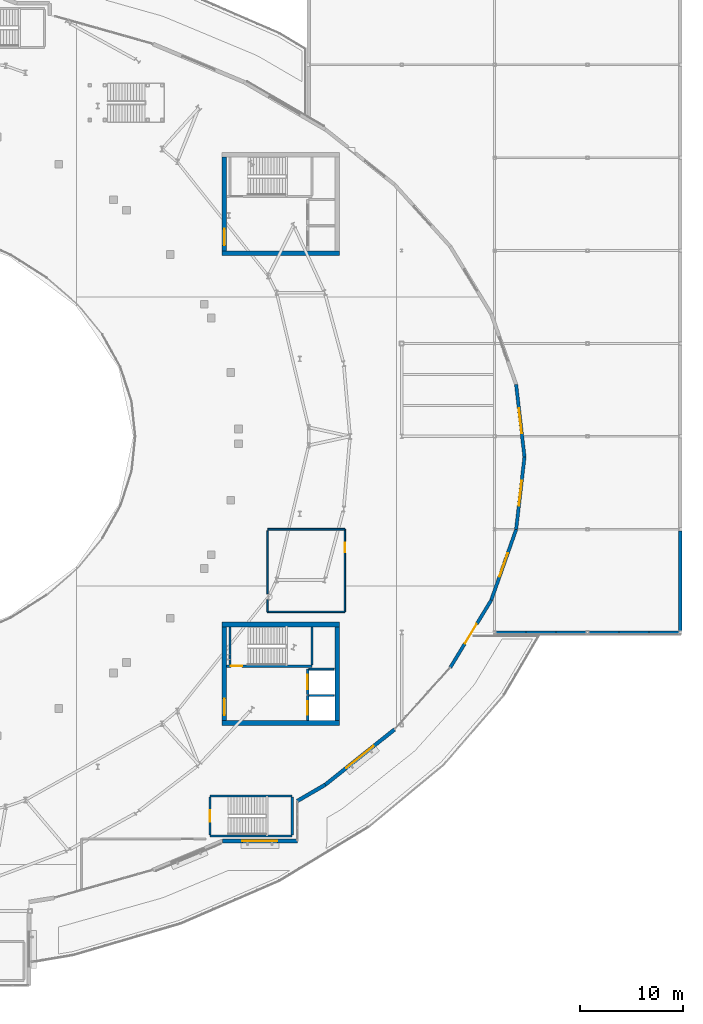
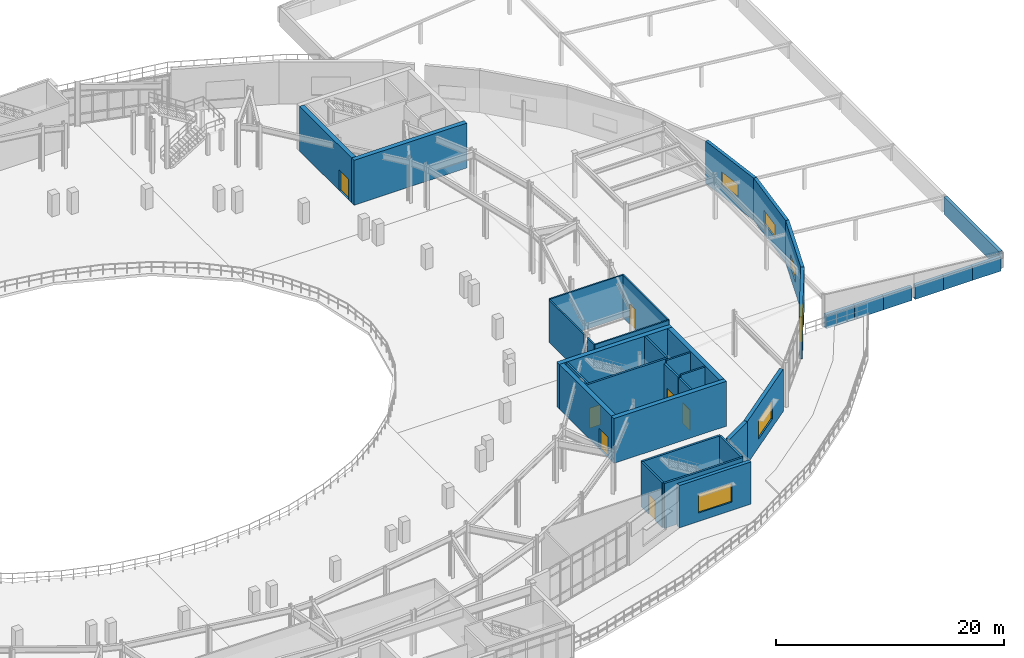
# One storey, part 63 of 84: 36 walls, 8 doors, 5 windows, 13 openings.
"""IFC4 building model written with IfcOpenShell, lengths in metres."""

from ifc_helpers import new_model, si_unit, direction, frame, frame_2d, origin, place, context, subcontext, project, spatial, rectangle, extrude, material, layer, layer_set, type_object, element, fill, save


model = new_model("IFC4")

# Units and contexts
model_context = context("Model", 3, precision=1e-05, world=origin(), true_north=direction((0.0, 1.0)))
body_context = subcontext(model_context, "Body", "Model", "MODEL_VIEW")
ifc_project = project(units=[si_unit("LENGTHUNIT", "METRE"), si_unit("AREAUNIT", "SQUARE_METRE"), si_unit("VOLUMEUNIT", "CUBIC_METRE"), si_unit("PLANEANGLEUNIT", "RADIAN"), si_unit("MASSUNIT", "GRAM", prefix="KILO")], contexts=[model_context])

# Site, building, storey
site_placement = place(None, origin())
site = spatial("IfcSite", under=ifc_project, at=site_placement, CompositionType="ELEMENT")
building_placement = place(site_placement, origin())
building = spatial("IfcBuilding", under=site, at=building_placement, Name="Glasvene Arena", CompositionType="ELEMENT")
storey_placement = place(building_placement, frame((0.0, 0.0, 10.199951171875)))
storey = spatial("IfcBuildingStorey", under=building, at=storey_placement, Name="L02", CompositionType="ELEMENT", Elevation=10.199951171875)

# Wall
ifc_material_1 = material(Name="Concrete C40/50", Category="concrete")
ifc_layer_1 = layer(ifc_material_1, 0.449951171875)
ifc_layer_set_1 = layer_set([ifc_layer_1], Name="Concrete C40/50")
wall_type_1 = type_object("IfcWallType", Name="WL-CORE-450", PredefinedType="SHEAR", material=ifc_layer_set_1)
wall_1_placement = place(storey_placement, frame((129.60009765625, 90.72509765625, 0.0), z_axis=(0.0, 0.0, 1.0), x_axis=(1.0, 0.0, 0.0)))
element("IfcWall", 1, at=wall_1_placement, inside=storey, type_object=wall_type_1, Name="Core C2 North-East shear wall S L02", PredefinedType="SHEAR", context=body_context, shape_type="SweptSolid", body=[
    extrude(rectangle(XDim=11.39990234375, YDim=0.449951171875, at=frame_2d((5.699951171875, 0.0))), origin(), (0.0, 0.0, 1.0), 4.800048828125),
])

# Wall, opening, door
wall_2_placement = place(storey_placement, frame((129.824951171875, 90.949951171875, 0.0), z_axis=(0.0, 0.0, 1.0), x_axis=(0.0, 1.0, 0.0)))
wall_2 = element("IfcWall", 2, at=wall_2_placement, inside=storey, type_object=wall_type_1, Name="Core C2 North-East shear wall W L02", PredefinedType="SHEAR", context=body_context, shape_type="SweptSolid", body=[
    extrude(rectangle(XDim=9.10009765625, YDim=0.449951171875, at=frame_2d((4.550048828125, 0.0))), origin(), (0.0, 0.0, 1.0), 4.800048828125),
])
opening_1_placement = place(wall_2_placement, frame((0.550048828125, 0.0, 0.0)))
opening_1 = element("IfcOpeningElement", 3, at=opening_1_placement, cuts=wall_2, Name="Opening D-02", PredefinedType="OPENING", context=body_context, shape_type="SweptSolid", body=[
    extrude(rectangle(XDim=1.60009765625, YDim=2.199951171875, at=frame_2d((0.800048828125, 1.10009765625))), frame((0.0, 0.23486328125, 0.0), z_axis=(0.0, -1.0, 0.0), x_axis=(1.0, 0.0, 0.0)), (0.0, 0.0, 1.0), 0.469970703125),
])
ifc_material_2 = material(Name="Painted fire-resisting steel", Category="steel")
door_type_1 = type_object("IfcDoorType", Name="DR-FD60-1600", OperationType="DOUBLE_DOOR_SINGLE_SWING", PredefinedType="DOOR", material=ifc_material_2)
door_1_placement = place(opening_1_placement, frame((1.60009765625, 0.0, 0.0), z_axis=(0.0, 0.0, 1.0), x_axis=(-1.0, 0.0, 0.0)))
door_1 = element("IfcDoor", 4, at=door_1_placement, inside=storey, type_object=door_type_1, Name="Core firefighting lobby concourse door C2-L02", OperationType="DOUBLE_DOOR_SINGLE_SWING", OverallHeight=2.199951171875, OverallWidth=1.60009765625, PredefinedType="DOOR", context=body_context, shape_type="SweptSolid", body=[
    extrude(rectangle(XDim=1.60009765625, YDim=2.199951171875, at=frame_2d((0.800048828125, 1.10009765625))), frame((0.0, 0.02490234375, 0.0), z_axis=(0.0, -1.0, 0.0), x_axis=(1.0, 0.0, 0.0)), (0.0, 0.0, 1.0), 0.050048828125),
])
fill(opening_1, door_1)

# Walls
for number, where, z_axis, x_axis, name in (
    (5, (129.60009765625, 45.22509765625, 0.0), (0.0, 0.0, 1.0), (1.0, 0.0, 0.0), "Core C4 South-East shear wall S L02"),
    (6, (129.60009765625, 54.77490234375, 0.0), (0.0, 0.0, 1.0), (1.0, 0.0, 0.0), "Core C4 South-East shear wall N L02"),
):
    element("IfcWall", number, at=place(storey_placement, frame(where, z_axis=z_axis, x_axis=x_axis)), inside=storey, type_object=wall_type_1, Name=name, PredefinedType="SHEAR", context=body_context, shape_type="SweptSolid", body=[
        extrude(rectangle(XDim=11.39990234375, YDim=0.449951171875, at=frame_2d((5.699951171875, 0.0))), origin(), (0.0, 0.0, 1.0), 4.800048828125),
    ])

# Wall, opening, door
wall_3_placement = place(storey_placement, frame((129.824951171875, 45.449951171875, 0.0), z_axis=(0.0, 0.0, 1.0), x_axis=(0.0, 1.0, 0.0)))
wall_3 = element("IfcWall", 7, at=wall_3_placement, inside=storey, type_object=wall_type_1, Name="Core C4 South-East shear wall W L02", PredefinedType="SHEAR", context=body_context, shape_type="SweptSolid", body=[
    extrude(rectangle(XDim=9.10009765625, YDim=0.449951171875, at=frame_2d((4.550048828125, 0.0))), origin(), (0.0, 0.0, 1.0), 4.800048828125),
])
opening_2_placement = place(wall_3_placement, frame((0.550048828125, 0.0, 0.0)))
opening_2 = element("IfcOpeningElement", 8, at=opening_2_placement, cuts=wall_3, Name="Opening D-02", PredefinedType="OPENING", context=body_context, shape_type="SweptSolid", body=[
    extrude(rectangle(XDim=1.60009765625, YDim=2.199951171875, at=frame_2d((0.800048828125, 1.10009765625))), frame((0.0, 0.23486328125, 0.0), z_axis=(0.0, -1.0, 0.0), x_axis=(1.0, 0.0, 0.0)), (0.0, 0.0, 1.0), 0.469970703125),
])
door_2_placement = place(opening_2_placement, frame((1.60009765625, 0.0, 0.0), z_axis=(0.0, 0.0, 1.0), x_axis=(-1.0, 0.0, 0.0)))
door_2 = element("IfcDoor", 9, at=door_2_placement, inside=storey, type_object=door_type_1, Name="Core firefighting lobby concourse door C4-L02", OperationType="DOUBLE_DOOR_SINGLE_SWING", OverallHeight=2.199951171875, OverallWidth=1.60009765625, PredefinedType="DOOR", context=body_context, shape_type="SweptSolid", body=[
    extrude(rectangle(XDim=1.60009765625, YDim=2.199951171875, at=frame_2d((0.800048828125, 1.10009765625))), frame((0.0, 0.02490234375, 0.0), z_axis=(0.0, -1.0, 0.0), x_axis=(1.0, 0.0, 0.0)), (0.0, 0.0, 1.0), 0.050048828125),
])
fill(opening_2, door_2)

# Wall
wall_4_placement = place(storey_placement, frame((140.77490234375, 45.449951171875, 0.0), z_axis=(0.0, 0.0, 1.0), x_axis=(0.0, 1.0, 0.0)))
element("IfcWall", 10, at=wall_4_placement, inside=storey, type_object=wall_type_1, Name="Core C4 South-East shear wall E L02", PredefinedType="SHEAR", context=body_context, shape_type="SweptSolid", body=[
    extrude(rectangle(XDim=9.10009765625, YDim=0.449951171875, at=frame_2d((4.550048828125, 0.0))), origin(), (0.0, 0.0, 1.0), 4.800048828125),
])

# Wall, opening, window
ifc_material_3 = material(Name="Coursed pale Irish limestone", Category="masonry")
ifc_layer_2 = layer(ifc_material_3, 0.360107421875)
ifc_layer_set_2 = layer_set([ifc_layer_2], Name="Coursed pale Irish limestone")
wall_type_2 = type_object("IfcWallType", Name="WL-EXT-LIM-360", PredefinedType="STANDARD", material=ifc_layer_set_2)
wall_5_placement = place(storey_placement, frame((146.314208984375, 44.6083984375, 0.0), z_axis=(0.0, 0.0, 1.0), x_axis=(-0.781733088889, -0.623613163537, 0.0)))
wall_5 = element("IfcWall", 11, at=wall_5_placement, inside=storey, type_object=wall_type_2, Name="External facade wall EW-L02-0150", PredefinedType="STANDARD", context=body_context, shape_type="SweptSolid", body=[
    extrude(rectangle(XDim=8.5908203125, YDim=0.360107421875, at=frame_2d((4.29541015625, 0.0))), origin(), (0.0, 0.0, 1.0), 4.52001953125),
])
opening_3_placement = place(wall_5_placement, frame((2.595947265625, 0.0, 0.89990234375)))
opening_3 = element("IfcOpeningElement", 12, at=opening_3_placement, cuts=wall_5, Name="Opening W-06", PredefinedType="OPENING", context=body_context, shape_type="SweptSolid", body=[
    extrude(rectangle(XDim=3.39990234375, YDim=2.0, at=frame_2d((1.699951171875, 1.0))), frame((0.0, 0.18994140625, 0.0), z_axis=(0.0, -1.0, 0.0), x_axis=(1.0, 0.0, 0.0)), (0.0, 0.0, 1.0), 0.380126953125),
])
ifc_material_4 = material(Name="Low-emissivity laminated double glazing", Category="glass")
window_type_1 = type_object("IfcWindowType", Name="WN-CLUB-340x200", PartitioningType="TRIPLE_PANEL_VERTICAL", PredefinedType="WINDOW", material=ifc_material_4)
window_1_placement = place(opening_3_placement, origin())
window_1 = element("IfcWindow", 13, at=window_1_placement, inside=storey, type_object=window_type_1, Name="Facade window WN-CLUB-340x200 L02-0089", OverallHeight=2.0, OverallWidth=3.39990234375, PartitioningType="SINGLE_PANEL", PredefinedType="WINDOW", context=body_context, shape_type="SweptSolid", body=[
    extrude(rectangle(XDim=3.39990234375, YDim=2.0, at=frame_2d((1.699951171875, 1.0))), frame((0.0, 0.030029296875, 0.0), z_axis=(0.0, -1.0, 0.0), x_axis=(1.0, 0.0, 0.0)), (0.0, 0.0, 1.0), 0.06005859375),
])
fill(opening_3, window_1)

# Wall
wall_6_placement = place(storey_placement, frame((139.598388671875, 39.2509765625, 0.0), z_axis=(0.0, 0.0, 1.0), x_axis=(-0.86430878281, -0.502961557137, 0.0)))
element("IfcWall", 14, at=wall_6_placement, inside=storey, type_object=wall_type_2, Name="External facade wall EW-L02-0151", PredefinedType="STANDARD", context=body_context, shape_type="SweptSolid", body=[
    extrude(rectangle(XDim=3.1220703125, YDim=0.360107421875, at=frame_2d((1.56103515625, 0.0))), origin(), (0.0, 0.0, 1.0), 4.52001953125),
])

# Wall, opening, window
wall_7_placement = place(storey_placement, frame((136.89990234375, 33.800048828125, 0.0), z_axis=(0.0, 0.0, 1.0), x_axis=(-1.0, 0.0, 0.0)))
wall_7 = element("IfcWall", 15, at=wall_7_placement, inside=storey, type_object=wall_type_2, Name="External facade wall EW-L02-0152", PredefinedType="STANDARD", context=body_context, shape_type="SweptSolid", body=[
    extrude(rectangle(XDim=7.2607421875, YDim=0.360107421875, at=frame_2d((3.63037109375, 0.0))), origin(), (0.0, 0.0, 1.0), 4.52001953125),
])
opening_4_placement = place(wall_7_placement, frame((1.929931640625, 0.0, 0.89990234375)))
opening_4 = element("IfcOpeningElement", 16, at=opening_4_placement, cuts=wall_7, Name="Opening W-06", PredefinedType="OPENING", context=body_context, shape_type="SweptSolid", body=[
    extrude(rectangle(XDim=3.39990234375, YDim=2.0, at=frame_2d((1.699951171875, 1.0))), frame((0.0, 0.18994140625, 0.0), z_axis=(0.0, -1.0, 0.0), x_axis=(1.0, 0.0, 0.0)), (0.0, 0.0, 1.0), 0.380126953125),
])
window_2_placement = place(opening_4_placement, origin())
window_2 = element("IfcWindow", 17, at=window_2_placement, inside=storey, type_object=window_type_1, Name="Facade window WN-CLUB-340x200 L02-0090", OverallHeight=2.0, OverallWidth=3.39990234375, PartitioningType="SINGLE_PANEL", PredefinedType="WINDOW", context=body_context, shape_type="SweptSolid", body=[
    extrude(rectangle(XDim=3.39990234375, YDim=2.0, at=frame_2d((1.699951171875, 1.0))), frame((0.0, 0.030029296875, 0.0), z_axis=(0.0, -1.0, 0.0), x_axis=(1.0, 0.0, 0.0)), (0.0, 0.0, 1.0), 0.06005859375),
])
fill(opening_4, window_2)

ifc_material_5 = material(Name="Precast concrete C50/60", Category="concrete")
ifc_layer_3 = layer(ifc_material_5, 0.320068359375)
ifc_layer_set_3 = layer_set([ifc_layer_3], Name="Precast concrete C50/60")
wall_type_3 = type_object("IfcWallType", Name="WL-EXT-PRC-320", PredefinedType="STANDARD", material=ifc_layer_set_3)
wall_8_placement = place(storey_placement, frame((158.088623046875, 78.02392578125, 0.0), z_axis=(0.0, 0.0, 1.0), x_axis=(0.114739438683, -0.993395621699, 0.0)))
wall_8 = element("IfcWall", 18, at=wall_8_placement, inside=storey, type_object=wall_type_3, Name="External facade wall EW-L02-0146", PredefinedType="STANDARD", context=body_context, shape_type="SweptSolid", body=[
    extrude(rectangle(XDim=7.070556640625, YDim=0.320068359375, at=frame_2d((3.53515625, 0.0))), origin(), (0.0, 0.0, 1.0), 4.52001953125),
])
opening_5_placement = place(wall_8_placement, frame((2.3349609375, 0.0, 1.14990234375)))
opening_5 = element("IfcOpeningElement", 19, at=opening_5_placement, cuts=wall_8, Name="Opening W-18", PredefinedType="OPENING", context=body_context, shape_type="SweptSolid", body=[
    extrude(rectangle(XDim=2.39990234375, YDim=1.39990234375, at=frame_2d((1.199951171875, 0.699951171875))), frame((0.0, 0.169921875, 0.0), z_axis=(0.0, -1.0, 0.0), x_axis=(1.0, 0.0, 0.0)), (0.0, 0.0, 1.0), 0.340087890625),
])
window_type_2 = type_object("IfcWindowType", Name="WN-LOUV-240x140", PartitioningType="DOUBLE_PANEL_HORIZONTAL", PredefinedType="WINDOW", material=ifc_material_4)
window_3_placement = place(opening_5_placement, origin())
window_3 = element("IfcWindow", 20, at=window_3_placement, inside=storey, type_object=window_type_2, Name="Facade window WN-LOUV-240x140 L02-0086", OverallHeight=1.39990234375, OverallWidth=2.39990234375, PartitioningType="SINGLE_PANEL", PredefinedType="WINDOW", context=body_context, shape_type="SweptSolid", body=[
    extrude(rectangle(XDim=2.39990234375, YDim=1.39990234375, at=frame_2d((1.199951171875, 0.699951171875))), frame((0.0, 0.030029296875, 0.0), z_axis=(0.0, -1.0, 0.0), x_axis=(1.0, 0.0, 0.0)), (0.0, 0.0, 1.0), 0.06005859375),
])
fill(opening_5, window_3)

wall_9_placement = place(storey_placement, frame((158.89990234375, 71.0, 0.0), z_axis=(0.0, 0.0, 1.0), x_axis=(-0.114739438683, -0.993395621699, 0.0)))
wall_9 = element("IfcWall", 21, at=wall_9_placement, inside=storey, type_object=wall_type_3, Name="External facade wall EW-L02-0147", PredefinedType="STANDARD", context=body_context, shape_type="SweptSolid", body=[
    extrude(rectangle(XDim=7.070556640625, YDim=0.320068359375, at=frame_2d((3.53515625, 0.0))), origin(), (0.0, 0.0, 1.0), 4.52001953125),
])
opening_6_placement = place(wall_9_placement, frame((2.3349609375, 0.0, 1.14990234375)))
opening_6 = element("IfcOpeningElement", 22, at=opening_6_placement, cuts=wall_9, Name="Opening W-18", PredefinedType="OPENING", context=body_context, shape_type="SweptSolid", body=[
    extrude(rectangle(XDim=2.39990234375, YDim=1.39990234375, at=frame_2d((1.199951171875, 0.699951171875))), frame((0.0, 0.169921875, 0.0), z_axis=(0.0, -1.0, 0.0), x_axis=(1.0, 0.0, 0.0)), (0.0, 0.0, 1.0), 0.340087890625),
])
window_4_placement = place(opening_6_placement, origin())
window_4 = element("IfcWindow", 23, at=window_4_placement, inside=storey, type_object=window_type_2, Name="Facade window WN-LOUV-240x140 L02-0087", OverallHeight=1.39990234375, OverallWidth=2.39990234375, PartitioningType="SINGLE_PANEL", PredefinedType="WINDOW", context=body_context, shape_type="SweptSolid", body=[
    extrude(rectangle(XDim=2.39990234375, YDim=1.39990234375, at=frame_2d((1.199951171875, 0.699951171875))), frame((0.0, 0.030029296875, 0.0), z_axis=(0.0, -1.0, 0.0), x_axis=(1.0, 0.0, 0.0)), (0.0, 0.0, 1.0), 0.06005859375),
])
fill(opening_6, window_4)

wall_10_placement = place(storey_placement, frame((158.088623046875, 63.97607421875, 0.0), z_axis=(0.0, 0.0, 1.0), x_axis=(-0.332334849902, -0.943161464194, 0.0)))
wall_10 = element("IfcWall", 24, at=wall_10_placement, inside=storey, type_object=wall_type_3, Name="External facade wall EW-L02-0148", PredefinedType="STANDARD", context=body_context, shape_type="SweptSolid", body=[
    extrude(rectangle(XDim=7.263916015625, YDim=0.320068359375, at=frame_2d((3.6318359375, 0.0))), origin(), (0.0, 0.0, 1.0), 4.52001953125),
])
opening_7_placement = place(wall_10_placement, frame((2.431884765625, 0.0, 1.14990234375)))
opening_7 = element("IfcOpeningElement", 25, at=opening_7_placement, cuts=wall_10, Name="Opening W-18", PredefinedType="OPENING", context=body_context, shape_type="SweptSolid", body=[
    extrude(rectangle(XDim=2.39990234375, YDim=1.39990234375, at=frame_2d((1.199951171875, 0.699951171875))), frame((0.0, 0.169921875, 0.0), z_axis=(0.0, -1.0, 0.0), x_axis=(1.0, 0.0, 0.0)), (0.0, 0.0, 1.0), 0.340087890625),
])
window_5_placement = place(opening_7_placement, origin())
window_5 = element("IfcWindow", 26, at=window_5_placement, inside=storey, type_object=window_type_2, Name="Facade window WN-LOUV-240x140 L02-0088", OverallHeight=1.39990234375, OverallWidth=2.39990234375, PartitioningType="SINGLE_PANEL", PredefinedType="WINDOW", context=body_context, shape_type="SweptSolid", body=[
    extrude(rectangle(XDim=2.39990234375, YDim=1.39990234375, at=frame_2d((1.199951171875, 0.699951171875))), frame((0.0, 0.030029296875, 0.0), z_axis=(0.0, -1.0, 0.0), x_axis=(1.0, 0.0, 0.0)), (0.0, 0.0, 1.0), 0.06005859375),
])
fill(opening_7, window_5)

# Wall, opening, door
wall_11_placement = place(storey_placement, frame((155.674560546875, 57.125, 0.0), z_axis=(0.0, 0.0, 1.0), x_axis=(-0.519478161204, -0.85448372719, 0.0)))
wall_11 = element("IfcWall", 27, at=wall_11_placement, inside=storey, type_object=wall_type_3, Name="External facade wall EW-L02-0149", PredefinedType="STANDARD", context=body_context, shape_type="SweptSolid", body=[
    extrude(rectangle(XDim=7.61767578125, YDim=0.320068359375, at=frame_2d((3.808837890625, 0.0))), origin(), (0.0, 0.0, 1.0), 4.52001953125),
])
opening_8_placement = place(wall_11_placement, frame((2.708984375, 0.0, 0.0)))
opening_8 = element("IfcOpeningElement", 28, at=opening_8_placement, cuts=wall_11, Name="Opening TD-220", PredefinedType="OPENING", context=body_context, shape_type="SweptSolid", body=[
    extrude(rectangle(XDim=2.199951171875, YDim=2.39990234375, at=frame_2d((1.10009765625, 1.199951171875))), frame((0.0, 0.169921875, 0.0), z_axis=(0.0, -1.0, 0.0), x_axis=(1.0, 0.0, 0.0)), (0.0, 0.0, 1.0), 0.340087890625),
])
ifc_material_6 = material(Name="Anodised architectural aluminium", Category="aluminium")
door_type_2 = type_object("IfcDoorType", Name="DR-TERR-2200", OperationType="DOUBLE_DOOR_SINGLE_SWING", PredefinedType="DOOR", material=ifc_material_6)
door_3_placement = place(opening_8_placement, origin())
door_3 = element("IfcDoor", 29, at=door_3_placement, inside=storey, type_object=door_type_2, Name="Terrace lounge glazed exit door TD-L02-02", OperationType="DOUBLE_DOOR_SINGLE_SWING", OverallHeight=2.39990234375, OverallWidth=2.199951171875, PredefinedType="DOOR", context=body_context, shape_type="SweptSolid", body=[
    extrude(rectangle(XDim=2.199951171875, YDim=2.39990234375, at=frame_2d((1.10009765625, 1.199951171875))), frame((0.0, 0.02490234375, 0.0), z_axis=(0.0, -1.0, 0.0), x_axis=(1.0, 0.0, 0.0)), (0.0, 0.0, 1.0), 0.050048828125),
])
fill(opening_8, door_3)

# Walls
wall_12_placement = place(storey_placement, frame((174.0, 54.155029296875, -0.280029296875), z_axis=(0.0, 0.0, 1.0), x_axis=(0.0, 1.0, 0.0)))
element("IfcWall", 30, at=wall_12_placement, inside=storey, type_object=wall_type_3, Name="Wing eave spandrel wall EW-WNG-V5-003", PredefinedType="STANDARD", context=body_context, shape_type="SweptSolid", body=[
    extrude(rectangle(XDim=9.68994140625, YDim=0.320068359375, at=frame_2d((4.844970703125, 0.0))), origin(), (0.0, 0.0, 1.0), 1.864990234375),
])
wall_13_placement = place(storey_placement, frame((156.155029296875, 54.0, -0.280029296875), z_axis=(0.0, 0.0, 1.0), x_axis=(1.0, 0.0, 0.0)))
element("IfcWall", 31, at=wall_13_placement, inside=storey, type_object=wall_type_3, Name="Wing gable infill wall EW-WNG-V5-010", PredefinedType="STANDARD", context=body_context, shape_type="SweptSolid", body=[
    extrude(rectangle(XDim=2.896728515625, YDim=0.320068359375, at=frame_2d((1.4482421875, 0.0))), origin(), (0.0, 0.0, 1.0), 1.489990234375),
])
wall_14_placement = place(storey_placement, frame((159.0517578125, 54.0, -0.280029296875), z_axis=(0.0, 0.0, 1.0), x_axis=(1.0, 0.0, 0.0)))
element("IfcWall", 32, at=wall_14_placement, inside=storey, type_object=wall_type_3, Name="Wing gable infill wall EW-WNG-V5-011", PredefinedType="STANDARD", context=body_context, shape_type="SweptSolid", body=[
    extrude(rectangle(XDim=2.896484375, YDim=0.320068359375, at=frame_2d((1.4482421875, 0.0))), origin(), (0.0, 0.0, 1.0), 1.489990234375),
])
for number, where, z_axis, x_axis, name in (
    (33, (161.9482421875, 54.0, -0.280029296875), (0.0, 0.0, 1.0), (1.0, 0.0, 0.0), "Wing gable infill wall EW-WNG-V5-012"),
    (34, (165.155029296875, 54.0, -0.280029296875), (0.0, 0.0, 1.0), (1.0, 0.0, 0.0), "Wing gable infill wall EW-WNG-V5-013"),
):
    element("IfcWall", number, at=place(storey_placement, frame(where, z_axis=z_axis, x_axis=x_axis)), inside=storey, type_object=wall_type_3, Name=name, PredefinedType="STANDARD", context=body_context, shape_type="SweptSolid", body=[
        extrude(rectangle(XDim=2.896728515625, YDim=0.320068359375, at=frame_2d((1.4482421875, 0.0))), origin(), (0.0, 0.0, 1.0), 1.489990234375),
    ])
wall_15_placement = place(storey_placement, frame((168.0517578125, 54.0, -0.280029296875), z_axis=(0.0, 0.0, 1.0), x_axis=(1.0, 0.0, 0.0)))
element("IfcWall", 35, at=wall_15_placement, inside=storey, type_object=wall_type_3, Name="Wing gable infill wall EW-WNG-V5-014", PredefinedType="STANDARD", context=body_context, shape_type="SweptSolid", body=[
    extrude(rectangle(XDim=2.896484375, YDim=0.320068359375, at=frame_2d((1.4482421875, 0.0))), origin(), (0.0, 0.0, 1.0), 1.489990234375),
])
wall_16_placement = place(storey_placement, frame((170.9482421875, 54.0, -0.280029296875), z_axis=(0.0, 0.0, 1.0), x_axis=(1.0, 0.0, 0.0)))
element("IfcWall", 36, at=wall_16_placement, inside=storey, type_object=wall_type_3, Name="Wing gable infill wall EW-WNG-V5-015", PredefinedType="STANDARD", context=body_context, shape_type="SweptSolid", body=[
    extrude(rectangle(XDim=2.896728515625, YDim=0.320068359375, at=frame_2d((1.4482421875, 0.0))), origin(), (0.0, 0.0, 1.0), 1.489990234375),
])
ifc_material_7 = material(Name="Insulated acoustic metal-stud partition")
ifc_layer_4 = layer(ifc_material_7, 0.14990234375)
ifc_layer_set_4 = layer_set([ifc_layer_4], Name="Insulated acoustic metal-stud partition")
wall_type_4 = type_object("IfcWallType", Name="WL-PART-150", PredefinedType="PARTITIONING", material=ifc_layer_set_4)
wall_17_placement = place(storey_placement, frame((134.044921875, 64.0, 0.0), z_axis=(0.0, 0.0, 1.0), x_axis=(1.0, 0.0, 0.0)))
element("IfcWall", 37, at=wall_17_placement, inside=storey, type_object=wall_type_4, Name="Interior partition wall IW-L02-0210 (Prairie Club Lounge East)", PredefinedType="PARTITIONING", context=body_context, shape_type="SweptSolid", body=[
    extrude(rectangle(XDim=7.455078125, YDim=0.14990234375, at=frame_2d((3.7275390625, 0.0))), origin(), (0.0, 0.0, 1.0), 4.52001953125),
])

# Wall, opening, door
wall_18_placement = place(storey_placement, frame((141.5, 64.0, 0.0), z_axis=(0.0, 0.0, 1.0), x_axis=(0.0, -1.0, 0.0)))
wall_18 = element("IfcWall", 38, at=wall_18_placement, inside=storey, type_object=wall_type_4, Name="Interior partition wall IW-L02-0211 (Prairie Club Lounge East)", PredefinedType="PARTITIONING", context=body_context, shape_type="SweptSolid", body=[
    extrude(rectangle(XDim=8.0, YDim=0.14990234375, at=frame_2d((4.0, 0.0))), origin(), (0.0, 0.0, 1.0), 4.52001953125),
])
opening_9_placement = place(wall_18_placement, frame((1.2900390625, 0.0, 0.0)))
opening_9 = element("IfcOpeningElement", 39, at=opening_9_placement, cuts=wall_18, Name="Opening D-12", PredefinedType="OPENING", context=body_context, shape_type="SweptSolid", body=[
    extrude(rectangle(XDim=0.919921875, YDim=2.14990234375, at=frame_2d((0.4599609375, 1.074951171875))), frame((0.0, 0.0849609375, 0.0), z_axis=(0.0, -1.0, 0.0), x_axis=(1.0, 0.0, 0.0)), (0.0, 0.0, 1.0), 0.169921875),
])
ifc_material_8 = material(Name="European oak acoustic timber", Category="wood")
door_type_3 = type_object("IfcDoorType", Name="DR-SUITE-920", OperationType="NOTDEFINED", PredefinedType="DOOR", material=ifc_material_8)
door_4_placement = place(opening_9_placement, origin())
door_4 = element("IfcDoor", 40, at=door_4_placement, inside=storey, type_object=door_type_3, Name="Interior door DR-SUITE-920 (Prairie Club Lounge East)", OperationType="SINGLE_SWING_LEFT", OverallHeight=2.14990234375, OverallWidth=0.919921875, PredefinedType="DOOR", context=body_context, shape_type="SweptSolid", body=[
    extrude(rectangle(XDim=0.919921875, YDim=2.14990234375, at=frame_2d((0.4599609375, 1.074951171875))), frame((0.0, 0.02490234375, 0.0), z_axis=(0.0, -1.0, 0.0), x_axis=(1.0, 0.0, 0.0)), (0.0, 0.0, 1.0), 0.050048828125),
])
fill(opening_9, door_4)

# Walls
wall_19_placement = place(storey_placement, frame((141.5, 56.0, 0.0), z_axis=(0.0, 0.0, 1.0), x_axis=(-1.0, 0.0, 0.0)))
element("IfcWall", 41, at=wall_19_placement, inside=storey, type_object=wall_type_4, Name="Interior partition wall IW-L02-0212 (Prairie Club Lounge East)", PredefinedType="PARTITIONING", context=body_context, shape_type="SweptSolid", body=[
    extrude(rectangle(XDim=7.5, YDim=0.14990234375, at=frame_2d((3.75, 0.0))), origin(), (0.0, 0.0, 1.0), 4.52001953125),
])
wall_20_placement = place(storey_placement, frame((134.0, 56.0, 0.0), z_axis=(0.0, 0.0, 1.0), x_axis=(0.0, 1.0, 0.0)))
element("IfcWall", 42, at=wall_20_placement, inside=storey, type_object=wall_type_4, Name="Interior partition wall IW-L02-0213 (Prairie Club Lounge East)", PredefinedType="PARTITIONING", context=body_context, shape_type="SweptSolid", body=[
    extrude(rectangle(XDim=1.197021484375, YDim=0.14990234375, at=frame_2d((0.5986328125, 0.0))), origin(), (0.0, 0.0, 1.0), 4.52001953125),
])
wall_21_placement = place(storey_placement, frame((134.0, 57.72998046875, 0.0), z_axis=(0.0, 0.0, 1.0), x_axis=(0.0, 1.0, 0.0)))
element("IfcWall", 43, at=wall_21_placement, inside=storey, type_object=wall_type_4, Name="Interior partition wall IW-L02-0214 (Prairie Club Lounge East)", PredefinedType="PARTITIONING", context=body_context, shape_type="SweptSolid", body=[
    extrude(rectangle(XDim=6.11865234375, YDim=0.14990234375, at=frame_2d((3.059326171875, 0.0))), origin(), (0.0, 0.0, 1.0), 4.52001953125),
])

# Wall, opening, door
ifc_layer_5 = layer(ifc_material_1, 0.199951171875)
ifc_layer_set_5 = layer_set([ifc_layer_5], Name="Concrete C40/50")
wall_type_5 = type_object("IfcWallType", Name="WL-SHAFT-200", PredefinedType="SHEAR", material=ifc_layer_set_5)
wall_22_placement = place(storey_placement, frame((137.89990234375, 45.449951171875, 0.0), z_axis=(0.0, 0.0, 1.0), x_axis=(0.0, 1.0, 0.0)))
wall_22 = element("IfcWall", 44, at=wall_22_placement, inside=storey, type_object=wall_type_5, Name="Lift shaft front wall FFL-04 L02", PredefinedType="SHEAR", context=body_context, shape_type="SweptSolid", body=[
    extrude(rectangle(XDim=2.449951171875, YDim=0.199951171875, at=frame_2d((1.22509765625, 0.0))), origin(), (0.0, 0.0, 1.0), 4.52001953125),
])
opening_10_placement = place(wall_22_placement, frame((0.574951171875, 0.0, 0.0)))
opening_10 = element("IfcOpeningElement", 45, at=opening_10_placement, cuts=wall_22, Name="Opening LD-FF", PredefinedType="OPENING", context=body_context, shape_type="SweptSolid", body=[
    extrude(rectangle(XDim=1.300048828125, YDim=2.199951171875, at=frame_2d((0.64990234375, 1.10009765625))), frame((0.0, 0.10986328125, 0.0), z_axis=(0.0, -1.0, 0.0), x_axis=(1.0, 0.0, 0.0)), (0.0, 0.0, 1.0), 0.219970703125),
])
ifc_material_9 = material(Name="Brushed stainless steel", Category="steel")
door_type_4 = type_object("IfcDoorType", Name="LD-FFL-1300", OperationType="DOUBLE_DOOR_SLIDING", PredefinedType="DOOR", material=ifc_material_9)
door_5_placement = place(opening_10_placement, origin())
door_5 = element("IfcDoor", 46, at=door_5_placement, inside=storey, type_object=door_type_4, Name="Lift sliding landing door LD-FFL-04-L02", OperationType="DOUBLE_DOOR_SLIDING", OverallHeight=2.199951171875, OverallWidth=1.300048828125, PredefinedType="DOOR", context=body_context, shape_type="SweptSolid", body=[
    extrude(rectangle(XDim=1.300048828125, YDim=2.199951171875, at=frame_2d((0.64990234375, 1.10009765625))), frame((0.0, 0.02490234375, 0.0), z_axis=(0.0, -1.0, 0.0), x_axis=(1.0, 0.0, 0.0)), (0.0, 0.0, 1.0), 0.050048828125),
])
fill(opening_10, door_5)

wall_23_placement = place(storey_placement, frame((137.89990234375, 48.0, 0.0), z_axis=(0.0, 0.0, 1.0), x_axis=(0.0, 1.0, 0.0)))
wall_23 = element("IfcWall", 47, at=wall_23_placement, inside=storey, type_object=wall_type_5, Name="Lift shaft front wall PL-04 L02", PredefinedType="SHEAR", context=body_context, shape_type="SweptSolid", body=[
    extrude(rectangle(XDim=2.449951171875, YDim=0.199951171875, at=frame_2d((1.22509765625, 0.0))), origin(), (0.0, 0.0, 1.0), 4.52001953125),
])
opening_11_placement = place(wall_23_placement, frame((0.52490234375, 0.0, 0.0)))
opening_11 = element("IfcOpeningElement", 48, at=opening_11_placement, cuts=wall_23, Name="Opening LD-PL", PredefinedType="OPENING", context=body_context, shape_type="SweptSolid", body=[
    extrude(rectangle(XDim=1.39990234375, YDim=2.199951171875, at=frame_2d((0.699951171875, 1.10009765625))), frame((0.0, 0.10986328125, 0.0), z_axis=(0.0, -1.0, 0.0), x_axis=(1.0, 0.0, 0.0)), (0.0, 0.0, 1.0), 0.219970703125),
])
door_type_5 = type_object("IfcDoorType", Name="LD-PL-1400", OperationType="DOUBLE_DOOR_SLIDING", PredefinedType="DOOR", material=ifc_material_9)
door_6_placement = place(opening_11_placement, origin())
door_6 = element("IfcDoor", 49, at=door_6_placement, inside=storey, type_object=door_type_5, Name="Lift sliding landing door LD-PL-04-L02", OperationType="DOUBLE_DOOR_SLIDING", OverallHeight=2.199951171875, OverallWidth=1.39990234375, PredefinedType="DOOR", context=body_context, shape_type="SweptSolid", body=[
    extrude(rectangle(XDim=1.39990234375, YDim=2.199951171875, at=frame_2d((0.699951171875, 1.10009765625))), frame((0.0, 0.02490234375, 0.0), z_axis=(0.0, -1.0, 0.0), x_axis=(1.0, 0.0, 0.0)), (0.0, 0.0, 1.0), 0.050048828125),
])
fill(opening_11, door_6)

wall_24_placement = place(storey_placement, frame((130.052001953125, 50.72998046875, 0.0), z_axis=(0.0, 0.0, 1.0), x_axis=(1.0, 0.0, 0.0)))
wall_24 = element("IfcWall", 50, at=wall_24_placement, inside=storey, type_object=wall_type_5, Name="Escape stair shaft wall ST-04 L02 S", PredefinedType="SHEAR", context=body_context, shape_type="SweptSolid", body=[
    extrude(rectangle(XDim=8.248046875, YDim=0.199951171875, at=frame_2d((4.1240234375, 0.0))), origin(), (0.0, 0.0, 1.0), 4.800048828125),
])
opening_12_placement = place(wall_24_placement, frame((0.39990234375, 0.0, 0.0)))
opening_12 = element("IfcOpeningElement", 51, at=opening_12_placement, cuts=wall_24, Name="Opening D-04", PredefinedType="OPENING", context=body_context, shape_type="SweptSolid", body=[
    extrude(rectangle(XDim=1.10009765625, YDim=2.14990234375, at=frame_2d((0.550048828125, 1.074951171875))), frame((0.0, 0.10986328125, 0.0), z_axis=(0.0, -1.0, 0.0), x_axis=(1.0, 0.0, 0.0)), (0.0, 0.0, 1.0), 0.219970703125),
])
door_type_6 = type_object("IfcDoorType", Name="DR-FD60-1100", OperationType="NOTDEFINED", PredefinedType="DOOR", material=ifc_material_2)
door_7_placement = place(opening_12_placement, frame((1.10009765625, 0.0, 0.0), z_axis=(0.0, 0.0, 1.0), x_axis=(-1.0, 0.0, 0.0)))
door_7 = element("IfcDoor", 52, at=door_7_placement, inside=storey, type_object=door_type_6, Name="Protected escape stair door ST-04 L02", OperationType="SINGLE_SWING_RIGHT", OverallHeight=2.14990234375, OverallWidth=1.10009765625, PredefinedType="DOOR", context=body_context, shape_type="SweptSolid", body=[
    extrude(rectangle(XDim=1.10009765625, YDim=2.14990234375, at=frame_2d((0.550048828125, 1.074951171875))), frame((0.0, 0.02490234375, 0.0), z_axis=(0.0, -1.0, 0.0), x_axis=(1.0, 0.0, 0.0)), (0.0, 0.0, 1.0), 0.050048828125),
])
fill(opening_12, door_7)

# Walls
for number, where, z_axis, x_axis, name in (
    (53, (130.35009765625, 50.83203125, 0.0), (0.0, 0.0, 1.0), (0.0, 1.0, 0.0), "Escape stair shaft wall ST-04 L02 W"),
    (54, (138.300048828125, 50.83203125, 0.0), (0.0, 0.0, 1.0), (0.0, 1.0, 0.0), "Escape stair shaft wall ST-04 L02 E"),
):
    element("IfcWall", number, at=place(storey_placement, frame(where, z_axis=z_axis, x_axis=x_axis)), inside=storey, type_object=wall_type_5, Name=name, PredefinedType="SHEAR", context=body_context, shape_type="SweptSolid", body=[
        extrude(rectangle(XDim=3.68603515625, YDim=0.199951171875, at=frame_2d((1.843017578125, 0.0))), origin(), (0.0, 0.0, 1.0), 4.800048828125),
    ])
wall_25_placement = place(storey_placement, frame((128.449951171875, 34.280029296875, 0.0), z_axis=(0.0, 0.0, 1.0), x_axis=(1.0, 0.0, 0.0)))
element("IfcWall", 55, at=wall_25_placement, inside=storey, type_object=wall_type_5, Name="Escape stair shaft wall ST-06 L02 S", PredefinedType="SHEAR", context=body_context, shape_type="SweptSolid", body=[
    extrude(rectangle(XDim=7.949951171875, YDim=0.199951171875, at=frame_2d((3.97509765625, 0.0))), origin(), (0.0, 0.0, 1.0), 4.800048828125),
])

# Wall, opening, door
wall_26_placement = place(storey_placement, frame((128.449951171875, 34.382080078125, 0.0), z_axis=(0.0, 0.0, 1.0), x_axis=(0.0, 1.0, 0.0)))
wall_26 = element("IfcWall", 56, at=wall_26_placement, inside=storey, type_object=wall_type_5, Name="Escape stair shaft wall ST-06 L02 W", PredefinedType="SHEAR", context=body_context, shape_type="SweptSolid", body=[
    extrude(rectangle(XDim=3.68603515625, YDim=0.199951171875, at=frame_2d((1.843017578125, 0.0))), origin(), (0.0, 0.0, 1.0), 4.800048828125),
])
opening_13_placement = place(wall_26_placement, frame((1.29296875, 0.0, 0.0)))
opening_13 = element("IfcOpeningElement", 57, at=opening_13_placement, cuts=wall_26, Name="Opening D-04", PredefinedType="OPENING", context=body_context, shape_type="SweptSolid", body=[
    extrude(rectangle(XDim=1.10009765625, YDim=2.14990234375, at=frame_2d((0.550048828125, 1.074951171875))), frame((0.0, 0.10986328125, 0.0), z_axis=(0.0, -1.0, 0.0), x_axis=(1.0, 0.0, 0.0)), (0.0, 0.0, 1.0), 0.219970703125),
])
door_8_placement = place(opening_13_placement, frame((1.10009765625, 0.0, 0.0), z_axis=(0.0, 0.0, 1.0), x_axis=(-1.0, 0.0, 0.0)))
door_8 = element("IfcDoor", 58, at=door_8_placement, inside=storey, type_object=door_type_6, Name="Protected escape stair door ST-06 L02", OperationType="SINGLE_SWING_RIGHT", OverallHeight=2.14990234375, OverallWidth=1.10009765625, PredefinedType="DOOR", context=body_context, shape_type="SweptSolid", body=[
    extrude(rectangle(XDim=1.10009765625, YDim=2.14990234375, at=frame_2d((0.550048828125, 1.074951171875))), frame((0.0, 0.02490234375, 0.0), z_axis=(0.0, -1.0, 0.0), x_axis=(1.0, 0.0, 0.0)), (0.0, 0.0, 1.0), 0.050048828125),
])
fill(opening_13, door_8)

# Walls
wall_27_placement = place(storey_placement, frame((136.39990234375, 34.382080078125, 0.0), z_axis=(0.0, 0.0, 1.0), x_axis=(0.0, 1.0, 0.0)))
element("IfcWall", 59, at=wall_27_placement, inside=storey, type_object=wall_type_5, Name="Escape stair shaft wall ST-06 L02 E", PredefinedType="SHEAR", context=body_context, shape_type="SweptSolid", body=[
    extrude(rectangle(XDim=3.68603515625, YDim=0.199951171875, at=frame_2d((1.843017578125, 0.0))), origin(), (0.0, 0.0, 1.0), 4.800048828125),
])
wall_28_placement = place(storey_placement, frame((128.449951171875, 38.169921875, 0.0), z_axis=(0.0, 0.0, 1.0), x_axis=(1.0, 0.0, 0.0)))
element("IfcWall", 60, at=wall_28_placement, inside=storey, type_object=wall_type_5, Name="Escape stair shaft wall ST-06 L02 N", PredefinedType="SHEAR", context=body_context, shape_type="SweptSolid", body=[
    extrude(rectangle(XDim=7.949951171875, YDim=0.199951171875, at=frame_2d((3.97509765625, 0.0))), origin(), (0.0, 0.0, 1.0), 4.800048828125),
])
ifc_material_10 = material(Name="Moisture-resistant masonry blockwork", Category="masonry")
ifc_layer_6 = layer(ifc_material_10, 0.179931640625)
ifc_layer_set_6 = layer_set([ifc_layer_6], Name="Moisture-resistant masonry blockwork")
wall_type_6 = type_object("IfcWallType", Name="WL-WET-180", PredefinedType="PARTITIONING", material=ifc_layer_set_6)
for number, where, z_axis, x_axis, name in (
    (61, (138.0, 47.89990234375, 0.0), (0.0, 0.0, 1.0), (1.0, 0.0, 0.0), "Lift shaft divider wall C4 L02"),
    (62, (138.0, 50.449951171875, 0.0), (0.0, 0.0, 1.0), (1.0, 0.0, 0.0), "Lift shaft north enclosure wall C4 L02"),
):
    element("IfcWall", number, at=place(storey_placement, frame(where, z_axis=z_axis, x_axis=x_axis)), inside=storey, type_object=wall_type_6, Name=name, PredefinedType="PARTITIONING", context=body_context, shape_type="SweptSolid", body=[
        extrude(rectangle(XDim=2.449951171875, YDim=0.179931640625, at=frame_2d((1.22509765625, 0.0))), origin(), (0.0, 0.0, 1.0), 4.800048828125),
    ])

save(model, "model.ifc")
